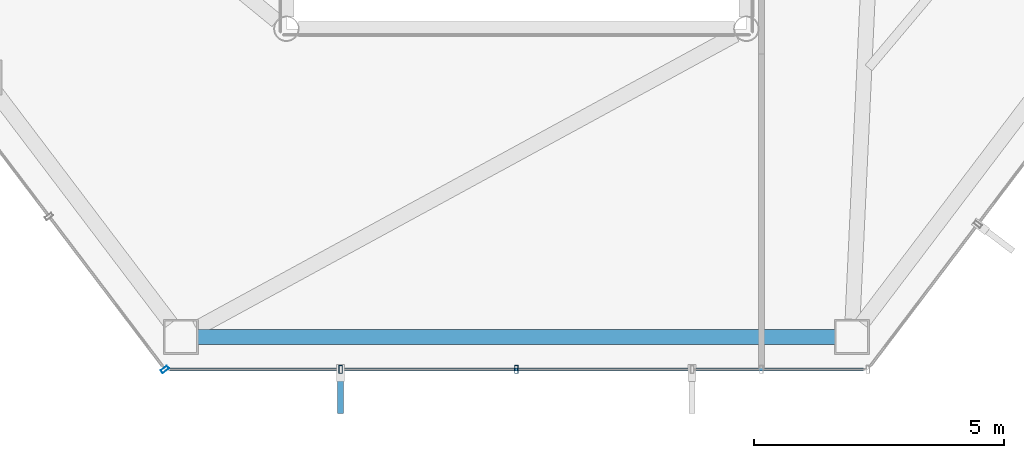
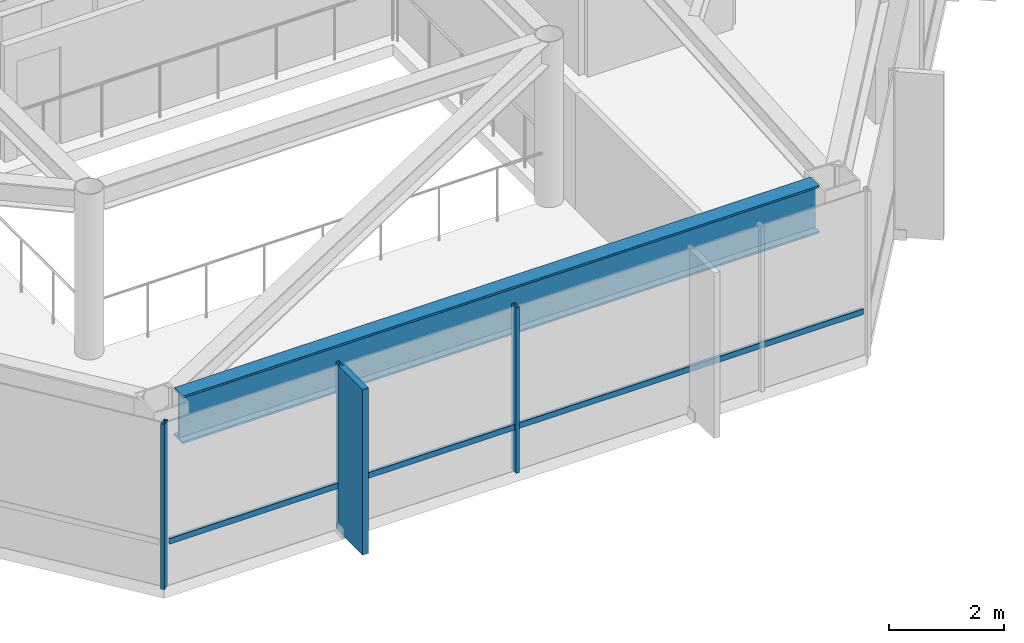
# One storey, part 5 of 28: 5 members, 1 beam, 2 elements without a shape of their own.
"""IFC4 building model written with IfcOpenShell, lengths in metres."""

from ifc_helpers import new_model, si_unit, direction, frame, origin, origin_2d, place, context, subcontext, project, spatial, rectangle, hollow_rectangle, i_section, extrude, material, layer, layer_set, material_profile, profile_set, type_object, element, aggregate, save


model = new_model("IFC4")

# Units and contexts
model_context = context("Model", 3, precision=1e-05, world=origin(), true_north=direction((0.0, 1.0)))
body_context = subcontext(model_context, "Body", "Model", "MODEL_VIEW")
ifc_project = project(units=[si_unit("LENGTHUNIT", "METRE"), si_unit("AREAUNIT", "SQUARE_METRE"), si_unit("VOLUMEUNIT", "CUBIC_METRE"), si_unit("PLANEANGLEUNIT", "RADIAN"), si_unit("MASSUNIT", "GRAM", prefix="KILO")], contexts=[model_context])

# Site, building, storey
site_placement = place(None, origin())
site = spatial("IfcSite", under=ifc_project, at=site_placement, CompositionType="ELEMENT")
building_placement = place(site_placement, origin())
building = spatial("IfcBuilding", under=site, at=building_placement, Name="Zarrinselat Tower", CompositionType="ELEMENT")
storey_placement = place(building_placement, frame((0.0, 0.0, 187.0)))
storey = spatial("IfcBuildingStorey", under=building, at=storey_placement, Name="L46", CompositionType="ELEMENT", Elevation=187.0)

# Beam
ifc_material_1 = material(Name="Steel S460M", Category="steel")
ifc_material_profile_1 = material_profile(ifc_material_1, i_section(OverallWidth=0.302001953125, OverallDepth=1.008056640625, WebThickness=0.02099609375, FlangeThickness=0.0400390625, at=origin_2d()), Name="HEM 1000")
ifc_profile_set_1 = profile_set([ifc_material_profile_1], Name="Steel S460M")
beam_type = type_object("IfcBeamType", Name="BM-HEM1000", PredefinedType="BEAM", material=ifc_profile_set_1)
beam_placement = place(storey_placement, frame((32.030517578125, 18.2392578125, 2.99609375), z_axis=(1.0, 0.0, 0.0), x_axis=(0.0, 1.0, 0.0)))
element("IfcBeam", 1, at=beam_placement, inside=storey, type_object=beam_type, Name="L46 Perimeter Spandrel Girder SP10", PredefinedType="BEAM", context=body_context, shape_type="SweptSolid", body=[
    extrude(i_section(OverallWidth=0.302001953125, OverallDepth=1.008056640625, WebThickness=0.02099609375, FlangeThickness=0.0400390625, at=origin_2d()), origin(), (0.0, 0.0, 1.0), 12.739013671875),
])

# Curtain wall, member
ifc_material_2 = material(Name="Extruded Aluminium Alloy EN AW-6063 T6", Category="aluminium")
ifc_layer = layer(ifc_material_2, 0.175048828125)
ifc_layer_set = layer_set([ifc_layer], Name="Extruded Aluminium Alloy EN AW-6063 T6")
curtain_wall_type = type_object("IfcCurtainWallType", Name="CWS-HTL", PredefinedType="NOTDEFINED", material=ifc_layer_set)
curtain_wall_1_placement = place(storey_placement, origin())
curtain_wall_1 = element("IfcCurtainWall", 2, at=curtain_wall_1_placement, inside=storey, type_object=curtain_wall_type, Name="L46 Unitised Curtain Wall CW-L46-E03", PredefinedType="NOTDEFINED")
ifc_material_3 = material(Name="Extruded Aluminium Alloy EN AW-6063 T6", Category="aluminium")
ifc_material_profile_2 = material_profile(ifc_material_3, hollow_rectangle(XDim=0.070068359375, YDim=0.159912109375, WallThickness=0.00390625, at=origin_2d()), Name="RHS 160x70x4")
ifc_profile_set_2 = profile_set([ifc_material_profile_2], Name="Extruded Aluminium Alloy EN AW-6063 T6")
member_type_1 = type_object("IfcMemberType", Name="MEM-CW-MUL2", PredefinedType="MULLION", material=ifc_profile_set_2)
member_1_placement = place(storey_placement, frame((31.369384765625, 17.58935546875, 0.0), z_axis=(0.0, 0.0, 1.0), x_axis=(0.603857114659, -0.7970925825, 0.0)))
member_1 = element("IfcMember", 3, at=member_1_placement, type_object=member_type_1, Name="CW-L46-E03 Mullion 7", PredefinedType="MULLION", context=body_context, shape_type="SweptSolid", body=[
    extrude(hollow_rectangle(XDim=0.070068359375, YDim=0.159912109375, WallThickness=0.00390625, at=origin_2d()), origin(), (0.0, 0.0, 1.0), 3.5),
])
aggregate(curtain_wall_1, [member_1])

# Curtain wall, members
curtain_wall_2_placement = place(storey_placement, origin())
curtain_wall_2 = element("IfcCurtainWall", 4, at=curtain_wall_2_placement, inside=storey, type_object=curtain_wall_type, Name="L46 Unitised Curtain Wall CW-L46-E04", PredefinedType="NOTDEFINED")
member_2_placement = place(storey_placement, frame((34.884765625, 17.58935546875, 0.0), z_axis=(0.0, 0.0, 1.0), x_axis=(1.0, 0.0, 0.0)))
member_2 = element("IfcMember", 5, at=member_2_placement, type_object=member_type_1, Name="CW-L46-E04 Mullion 1", PredefinedType="MULLION", context=body_context, shape_type="SweptSolid", body=[
    extrude(hollow_rectangle(XDim=0.070068359375, YDim=0.159912109375, WallThickness=0.00390625, at=origin_2d()), origin(), (0.0, 0.0, 1.0), 3.5),
])
member_3_placement = place(storey_placement, frame((38.39990234375, 17.58935546875, 0.0), z_axis=(0.0, 0.0, 1.0), x_axis=(1.0, 0.0, 0.0)))
member_3 = element("IfcMember", 6, at=member_3_placement, type_object=member_type_1, Name="CW-L46-E04 Mullion 2", PredefinedType="MULLION", context=body_context, shape_type="SweptSolid", body=[
    extrude(hollow_rectangle(XDim=0.070068359375, YDim=0.159912109375, WallThickness=0.00390625, at=origin_2d()), origin(), (0.0, 0.0, 1.0), 3.5),
])
ifc_material_4 = material(Name="Extruded Aluminium Alloy EN AW-6063 T6", Category="aluminium")
ifc_material_profile_3 = material_profile(ifc_material_4, hollow_rectangle(XDim=0.06005859375, YDim=0.1201171875, WallThickness=0.00390625, at=origin_2d()), Name="RHS 120x60x4")
ifc_profile_set_3 = profile_set([ifc_material_profile_3], Name="Extruded Aluminium Alloy EN AW-6063 T6")
member_type_2 = type_object("IfcMemberType", Name="MEM-CW-TRN2", PredefinedType="USERDEFINED", material=ifc_profile_set_3)
member_4_placement = place(storey_placement, frame((31.45947265625, 17.58935546875, 0.949951171875), z_axis=(1.0, 0.0, 0.0), x_axis=(0.0, 1.0, 0.0)))
member_4 = element("IfcMember", 7, at=member_4_placement, type_object=member_type_2, Name="CW-L46-E04 Transom 1", ObjectType="TRANSOM", PredefinedType="USERDEFINED", context=body_context, shape_type="SweptSolid", body=[
    extrude(hollow_rectangle(XDim=0.06005859375, YDim=0.1201171875, WallThickness=0.00390625, at=origin_2d()), origin(), (0.0, 0.0, 1.0), 13.881103515625),
])
ifc_material_5 = material(Name="Honed Cream Travertine Stone", Category="masonry")
ifc_material_profile_4 = material_profile(ifc_material_5, rectangle(XDim=0.1201171875, YDim=0.85009765625, at=origin_2d()), Name="FIN 850x120")
ifc_profile_set_4 = profile_set([ifc_material_profile_4], Name="Honed Cream Travertine Stone")
member_type_3 = type_object("IfcMemberType", Name="MEM-STONE-FIN", PredefinedType="USERDEFINED", material=ifc_profile_set_4)
member_5_placement = place(storey_placement, frame((34.884765625, 17.12939453125, 0.0), z_axis=(0.0, 0.0, 1.0), x_axis=(-1.0, 0.0, 0.0)))
member_5 = element("IfcMember", 8, at=member_5_placement, type_object=member_type_3, Name="L46 Stone Shading Fin CW-L46-E04-01", ObjectType="FIN", PredefinedType="USERDEFINED", context=body_context, shape_type="SweptSolid", body=[
    extrude(rectangle(XDim=0.1201171875, YDim=0.85009765625, at=origin_2d()), origin(), (0.0, 0.0, 1.0), 3.5),
])
aggregate(curtain_wall_2, [member_2, member_5, member_3, member_4])

save(model, "model.ifc")
